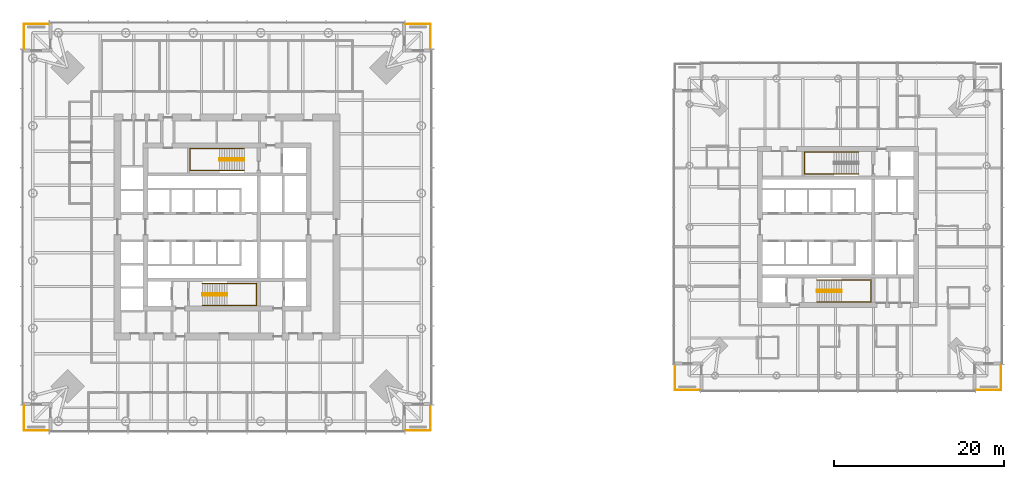
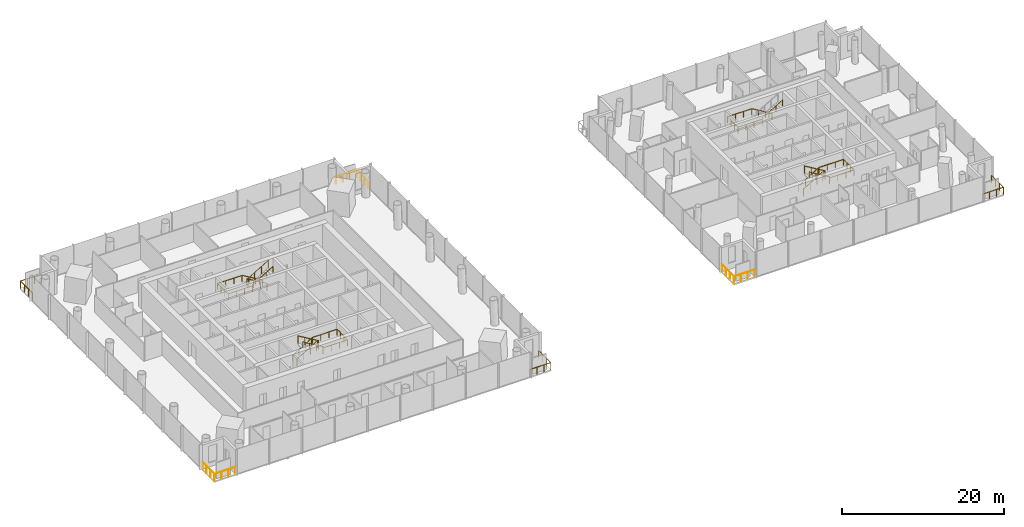
# One storey, part 17 of 18: 13 railings.
"""IFC4 building model written with IfcOpenShell, lengths in metres."""

from ifc_helpers import new_model, si_unit, direction, frame, origin, origin_2d, place, context, subcontext, project, spatial, circle, extrude, material, type_object, element, save


model = new_model("IFC4")

# Units and contexts
model_context = context("Model", 3, precision=1e-05, world=origin(), true_north=direction((0.0, 1.0)))
body_context = subcontext(model_context, "Body", "Model", "MODEL_VIEW")
ifc_project = project(units=[si_unit("LENGTHUNIT", "METRE"), si_unit("AREAUNIT", "SQUARE_METRE"), si_unit("VOLUMEUNIT", "CUBIC_METRE"), si_unit("PLANEANGLEUNIT", "RADIAN"), si_unit("MASSUNIT", "GRAM", prefix="KILO")], contexts=[model_context])

# Site, building, storey
site_placement = place(None, origin())
site = spatial("IfcSite", under=ifc_project, at=site_placement, CompositionType="ELEMENT")
building_placement = place(site_placement, origin())
building = spatial("IfcBuilding", under=site, at=building_placement, Name="Ostroluk Exchange", CompositionType="ELEMENT")
storey_placement = place(building_placement, frame((0.0, 0.0, 55.199951171875)))
storey = spatial("IfcBuildingStorey", under=building, at=storey_placement, Name="L13", CompositionType="ELEMENT", Elevation=55.199951171875)

# Railings
ifc_material_1 = material(Name="Stainless steel", Category="steel")
railing_type_1 = type_object("IfcRailingType", Name="Guard 1100 stainless steel", PredefinedType="GUARDRAIL", material=ifc_material_1)
railing_1_placement = place(storey_placement, frame((66.0, 22.050048828125, 0.0)))
element("IfcRailing", 1, at=railing_1_placement, inside=storey, type_object=railing_type_1, Name="Office tower SE balcony guard L13", PredefinedType="GUARDRAIL", context=body_context, shape_type="SweptSolid", body=[
    extrude(circle(Radius=0.02392578125, at=origin_2d()), frame((0.0, 0.0, 1.076171875), z_axis=(1.0, 0.0, 0.0), x_axis=(0.0, 1.0, 0.0)), (0.0, 0.0, 1.0), 2.949951171875),
    extrude(circle(Radius=0.02392578125, at=origin_2d()), frame((2.949951171875, 0.0, 1.076171875), z_axis=(0.0, 1.0, 0.0), x_axis=(-1.0, 0.0, 0.0)), (0.0, 0.0, 1.0), 2.949951171875),
    extrude(circle(Radius=0.02099609375, at=origin_2d()), origin(), (0.0, 0.0, 1.0), 1.052001953125),
    extrude(circle(Radius=0.02099609375, at=origin_2d()), frame((0.9833984375, 0.0, 0.0)), (0.0, 0.0, 1.0), 1.052001953125),
    extrude(circle(Radius=0.02099609375, at=origin_2d()), frame((1.966552734375, 0.0, 0.0)), (0.0, 0.0, 1.0), 1.052001953125),
    extrude(circle(Radius=0.02099609375, at=origin_2d()), frame((2.949951171875, 0.0, 0.0)), (0.0, 0.0, 1.0), 1.052001953125),
    extrude(circle(Radius=0.02099609375, at=origin_2d()), frame((2.949951171875, 0.9833984375, 0.0)), (0.0, 0.0, 1.0), 1.052001953125),
    extrude(circle(Radius=0.02099609375, at=origin_2d()), frame((2.949951171875, 1.966552734375, 0.0)), (0.0, 0.0, 1.0), 1.052001953125),
    extrude(circle(Radius=0.02099609375, at=origin_2d()), frame((2.949951171875, 2.949951171875, 0.0)), (0.0, 0.0, 1.0), 1.052001953125),
])
railing_2_placement = place(storey_placement, frame((66.0, 69.949951171875, 0.0)))
element("IfcRailing", 2, at=railing_2_placement, inside=storey, type_object=railing_type_1, Name="Office tower NE balcony guard L13", PredefinedType="GUARDRAIL", context=body_context, shape_type="SweptSolid", body=[
    extrude(circle(Radius=0.02392578125, at=origin_2d()), frame((0.0, 0.0, 1.076171875), z_axis=(1.0, 0.0, 0.0), x_axis=(0.0, 1.0, 0.0)), (0.0, 0.0, 1.0), 2.949951171875),
    extrude(circle(Radius=0.02392578125, at=origin_2d()), frame((2.949951171875, 0.0, 1.076171875), z_axis=(0.0, -1.0, 0.0), x_axis=(1.0, 0.0, 0.0)), (0.0, 0.0, 1.0), 2.949951171875),
    extrude(circle(Radius=0.02099609375, at=origin_2d()), origin(), (0.0, 0.0, 1.0), 1.052001953125),
    extrude(circle(Radius=0.02099609375, at=origin_2d()), frame((0.9833984375, 0.0, 0.0)), (0.0, 0.0, 1.0), 1.052001953125),
    extrude(circle(Radius=0.02099609375, at=origin_2d()), frame((1.966552734375, 0.0, 0.0)), (0.0, 0.0, 1.0), 1.052001953125),
    extrude(circle(Radius=0.02099609375, at=origin_2d()), frame((2.949951171875, 0.0, 0.0)), (0.0, 0.0, 1.0), 1.052001953125),
    extrude(circle(Radius=0.02099609375, at=origin_2d()), frame((2.949951171875, -0.9833984375, 0.0)), (0.0, 0.0, 1.0), 1.052001953125),
    extrude(circle(Radius=0.02099609375, at=origin_2d()), frame((2.949951171875, -1.966552734375, 0.0)), (0.0, 0.0, 1.0), 1.052001953125),
    extrude(circle(Radius=0.02099609375, at=origin_2d()), frame((2.949951171875, -2.949951171875, 0.0)), (0.0, 0.0, 1.0), 1.052001953125),
])
railing_3_placement = place(storey_placement, frame((24.0, 69.949951171875, 0.0)))
element("IfcRailing", 3, at=railing_3_placement, inside=storey, type_object=railing_type_1, Name="Office tower NW balcony guard L13", PredefinedType="GUARDRAIL", context=body_context, shape_type="SweptSolid", body=[
    extrude(circle(Radius=0.02392578125, at=origin_2d()), frame((0.0, 0.0, 1.076171875), z_axis=(-1.0, 0.0, 0.0), x_axis=(0.0, -1.0, 0.0)), (0.0, 0.0, 1.0), 2.949951171875),
    extrude(circle(Radius=0.02392578125, at=origin_2d()), frame((-2.949951171875, 0.0, 1.076171875), z_axis=(0.0, -1.0, 0.0), x_axis=(1.0, 0.0, 0.0)), (0.0, 0.0, 1.0), 2.949951171875),
    extrude(circle(Radius=0.02099609375, at=origin_2d()), origin(), (0.0, 0.0, 1.0), 1.052001953125),
    extrude(circle(Radius=0.02099609375, at=origin_2d()), frame((-0.9833984375, 0.0, 0.0)), (0.0, 0.0, 1.0), 1.052001953125),
    extrude(circle(Radius=0.02099609375, at=origin_2d()), frame((-1.966552734375, 0.0, 0.0)), (0.0, 0.0, 1.0), 1.052001953125),
    extrude(circle(Radius=0.02099609375, at=origin_2d()), frame((-2.949951171875, 0.0, 0.0)), (0.0, 0.0, 1.0), 1.052001953125),
    extrude(circle(Radius=0.02099609375, at=origin_2d()), frame((-2.949951171875, -0.9833984375, 0.0)), (0.0, 0.0, 1.0), 1.052001953125),
    extrude(circle(Radius=0.02099609375, at=origin_2d()), frame((-2.949951171875, -1.966552734375, 0.0)), (0.0, 0.0, 1.0), 1.052001953125),
    extrude(circle(Radius=0.02099609375, at=origin_2d()), frame((-2.949951171875, -2.949951171875, 0.0)), (0.0, 0.0, 1.0), 1.052001953125),
])
railing_4_placement = place(storey_placement, frame((24.0, 22.050048828125, 0.0)))
element("IfcRailing", 4, at=railing_4_placement, inside=storey, type_object=railing_type_1, Name="Office tower SW balcony guard L13", PredefinedType="GUARDRAIL", context=body_context, shape_type="SweptSolid", body=[
    extrude(circle(Radius=0.02392578125, at=origin_2d()), frame((0.0, 0.0, 1.076171875), z_axis=(-1.0, 0.0, 0.0), x_axis=(0.0, -1.0, 0.0)), (0.0, 0.0, 1.0), 2.949951171875),
    extrude(circle(Radius=0.02392578125, at=origin_2d()), frame((-2.949951171875, 0.0, 1.076171875), z_axis=(0.0, 1.0, 0.0), x_axis=(-1.0, 0.0, 0.0)), (0.0, 0.0, 1.0), 2.949951171875),
    extrude(circle(Radius=0.02099609375, at=origin_2d()), origin(), (0.0, 0.0, 1.0), 1.052001953125),
    extrude(circle(Radius=0.02099609375, at=origin_2d()), frame((-0.9833984375, 0.0, 0.0)), (0.0, 0.0, 1.0), 1.052001953125),
    extrude(circle(Radius=0.02099609375, at=origin_2d()), frame((-1.966552734375, 0.0, 0.0)), (0.0, 0.0, 1.0), 1.052001953125),
    extrude(circle(Radius=0.02099609375, at=origin_2d()), frame((-2.949951171875, 0.0, 0.0)), (0.0, 0.0, 1.0), 1.052001953125),
    extrude(circle(Radius=0.02099609375, at=origin_2d()), frame((-2.949951171875, 0.9833984375, 0.0)), (0.0, 0.0, 1.0), 1.052001953125),
    extrude(circle(Radius=0.02099609375, at=origin_2d()), frame((-2.949951171875, 1.966552734375, 0.0)), (0.0, 0.0, 1.0), 1.052001953125),
    extrude(circle(Radius=0.02099609375, at=origin_2d()), frame((-2.949951171875, 2.949951171875, 0.0)), (0.0, 0.0, 1.0), 1.052001953125),
])
railing_5_placement = place(storey_placement, frame((133.25, 26.800048828125, 0.0)))
element("IfcRailing", 5, at=railing_5_placement, inside=storey, type_object=railing_type_1, Name="Hotel tower SE balcony guard L13", PredefinedType="GUARDRAIL", context=body_context, shape_type="SweptSolid", body=[
    extrude(circle(Radius=0.02392578125, at=origin_2d()), frame((0.0, 0.0, 1.076171875), z_axis=(1.0, 0.0, 0.0), x_axis=(0.0, 1.0, 0.0)), (0.0, 0.0, 1.0), 2.949951171875),
    extrude(circle(Radius=0.02392578125, at=origin_2d()), frame((2.949951171875, 0.0, 1.076171875), z_axis=(0.0, 1.0, 0.0), x_axis=(-1.0, 0.0, 0.0)), (0.0, 0.0, 1.0), 2.949951171875),
    extrude(circle(Radius=0.02099609375, at=origin_2d()), origin(), (0.0, 0.0, 1.0), 1.052001953125),
    extrude(circle(Radius=0.02099609375, at=origin_2d()), frame((0.9833984375, 0.0, 0.0)), (0.0, 0.0, 1.0), 1.052001953125),
    extrude(circle(Radius=0.02099609375, at=origin_2d()), frame((1.966552734375, 0.0, 0.0)), (0.0, 0.0, 1.0), 1.052001953125),
    extrude(circle(Radius=0.02099609375, at=origin_2d()), frame((2.949951171875, 0.0, 0.0)), (0.0, 0.0, 1.0), 1.052001953125),
    extrude(circle(Radius=0.02099609375, at=origin_2d()), frame((2.949951171875, 0.9833984375, 0.0)), (0.0, 0.0, 1.0), 1.052001953125),
    extrude(circle(Radius=0.02099609375, at=origin_2d()), frame((2.949951171875, 1.966552734375, 0.0)), (0.0, 0.0, 1.0), 1.052001953125),
    extrude(circle(Radius=0.02099609375, at=origin_2d()), frame((2.949951171875, 2.949951171875, 0.0)), (0.0, 0.0, 1.0), 1.052001953125),
])
railing_6_placement = place(storey_placement, frame((100.75, 26.800048828125, 0.0)))
element("IfcRailing", 6, at=railing_6_placement, inside=storey, type_object=railing_type_1, Name="Hotel tower SW balcony guard L13", PredefinedType="GUARDRAIL", context=body_context, shape_type="SweptSolid", body=[
    extrude(circle(Radius=0.02392578125, at=origin_2d()), frame((0.0, 0.0, 1.076171875), z_axis=(-1.0, 0.0, 0.0), x_axis=(0.0, -1.0, 0.0)), (0.0, 0.0, 1.0), 2.949951171875),
    extrude(circle(Radius=0.02392578125, at=origin_2d()), frame((-2.949951171875, 0.0, 1.076171875), z_axis=(0.0, 1.0, 0.0), x_axis=(-1.0, 0.0, 0.0)), (0.0, 0.0, 1.0), 2.949951171875),
    extrude(circle(Radius=0.02099609375, at=origin_2d()), origin(), (0.0, 0.0, 1.0), 1.052001953125),
    extrude(circle(Radius=0.02099609375, at=origin_2d()), frame((-0.9833984375, 0.0, 0.0)), (0.0, 0.0, 1.0), 1.052001953125),
    extrude(circle(Radius=0.02099609375, at=origin_2d()), frame((-1.966552734375, 0.0, 0.0)), (0.0, 0.0, 1.0), 1.052001953125),
    extrude(circle(Radius=0.02099609375, at=origin_2d()), frame((-2.949951171875, 0.0, 0.0)), (0.0, 0.0, 1.0), 1.052001953125),
    extrude(circle(Radius=0.02099609375, at=origin_2d()), frame((-2.949951171875, 0.9833984375, 0.0)), (0.0, 0.0, 1.0), 1.052001953125),
    extrude(circle(Radius=0.02099609375, at=origin_2d()), frame((-2.949951171875, 1.966552734375, 0.0)), (0.0, 0.0, 1.0), 1.052001953125),
    extrude(circle(Radius=0.02099609375, at=origin_2d()), frame((-2.949951171875, 2.949951171875, 0.0)), (0.0, 0.0, 1.0), 1.052001953125),
])
ifc_material_2 = material(Name="Steel S355", Category="steel")
railing_type_2 = type_object("IfcRailingType", Name="Stair guard 1100", PredefinedType="GUARDRAIL", material=ifc_material_2)
railing_7_placement = place(storey_placement, frame((42.10009765625, 38.179931640625, 0.1728515625)))
element("IfcRailing", 7, at=railing_7_placement, inside=storey, type_object=railing_type_2, Name="Stair T1-S1 guard L13", PredefinedType="GUARDRAIL", context=body_context, shape_type="SweptSolid", body=[
    extrude(circle(Radius=0.02392578125, at=origin_2d()), frame((0.0, 0.0, 1.076171875), z_axis=(0.859141464434, 0.0, 0.511738159696), x_axis=(0.0, 1.0, 0.0)), (0.0, 0.0, 1.0), 3.375244140625),
    extrude(circle(Radius=0.02392578125, at=origin_2d()), frame((2.89990234375, 0.0, 2.80322265625), z_axis=(0.0, -1.0, 0.0), x_axis=(1.0, 0.0, 0.0)), (0.0, 0.0, 1.0), 0.260009765625),
    extrude(circle(Radius=0.02392578125, at=origin_2d()), frame((2.89990234375, -0.260009765625, 2.80322265625), z_axis=(0.0, 0.0, 1.0), x_axis=(1.0, 0.0, 0.0)), (0.0, 0.0, 1.0), 0.172607421875),
    extrude(circle(Radius=0.02392578125, at=origin_2d()), frame((2.89990234375, -0.260009765625, 2.97607421875), z_axis=(-0.859141464434, 0.0, 0.511738159696), x_axis=(0.0, -1.0, 0.0)), (0.0, 0.0, 1.0), 3.375244140625),
    extrude(circle(Radius=0.02099609375, at=origin_2d()), origin(), (0.0, 0.0, 1.0), 1.052001953125),
    extrude(circle(Radius=0.02099609375, at=origin_2d()), frame((0.966552734375, 0.0, 0.57568359375)), (0.0, 0.0, 1.0), 1.052001953125),
    extrude(circle(Radius=0.02099609375, at=origin_2d()), frame((1.933349609375, 0.0, 1.151611328125)), (0.0, 0.0, 1.0), 1.052001953125),
    extrude(circle(Radius=0.02099609375, at=origin_2d()), frame((2.89990234375, 0.0, 1.727294921875)), (0.0, 0.0, 1.0), 1.052001953125),
    extrude(circle(Radius=0.02099609375, at=origin_2d()), frame((2.89990234375, -0.260009765625, 1.727294921875)), (0.0, 0.0, 1.0), 1.052001953125),
    extrude(circle(Radius=0.02099609375, at=origin_2d()), frame((2.89990234375, -0.260009765625, 1.89990234375)), (0.0, 0.0, 1.0), 1.052001953125),
    extrude(circle(Radius=0.02099609375, at=origin_2d()), frame((1.933349609375, -0.260009765625, 2.4755859375)), (0.0, 0.0, 1.0), 1.052001953125),
    extrude(circle(Radius=0.02099609375, at=origin_2d()), frame((0.966552734375, -0.260009765625, 3.051513671875)), (0.0, 0.0, 1.0), 1.052001953125),
    extrude(circle(Radius=0.02099609375, at=origin_2d()), frame((0.0, -0.260009765625, 3.627197265625)), (0.0, 0.0, 1.0), 1.052001953125),
])
railing_8_placement = place(storey_placement, frame((47.030029296875, 54.080078125, 0.1728515625)))
element("IfcRailing", 8, at=railing_8_placement, inside=storey, type_object=railing_type_2, Name="Stair T1-S2 guard L13", PredefinedType="GUARDRAIL", context=body_context, shape_type="SweptSolid", body=[
    extrude(circle(Radius=0.02392578125, at=origin_2d()), frame((0.0, 0.0, 1.076171875), z_axis=(-0.859160404282, 0.0, 0.51170636083), x_axis=(0.0, -1.0, 0.0)), (0.0, 0.0, 1.0), 3.37548828125),
    extrude(circle(Radius=0.02392578125, at=origin_2d()), frame((-2.900146484375, 0.0, 2.80322265625), z_axis=(0.0, -1.0, 0.0), x_axis=(1.0, 0.0, 0.0)), (0.0, 0.0, 1.0), 0.260009765625),
    extrude(circle(Radius=0.02392578125, at=origin_2d()), frame((-2.900146484375, -0.260009765625, 2.80322265625), z_axis=(0.0, 0.0, 1.0), x_axis=(1.0, 0.0, 0.0)), (0.0, 0.0, 1.0), 0.172607421875),
    extrude(circle(Radius=0.02392578125, at=origin_2d()), frame((-2.900146484375, -0.260009765625, 2.97607421875), z_axis=(0.859160404282, 0.0, 0.51170636083), x_axis=(0.0, 1.0, 0.0)), (0.0, 0.0, 1.0), 3.37548828125),
    extrude(circle(Radius=0.02099609375, at=origin_2d()), origin(), (0.0, 0.0, 1.0), 1.052001953125),
    extrude(circle(Radius=0.02099609375, at=origin_2d()), frame((-0.966796875, 0.0, 0.57568359375)), (0.0, 0.0, 1.0), 1.052001953125),
    extrude(circle(Radius=0.02099609375, at=origin_2d()), frame((-1.933349609375, 0.0, 1.151611328125)), (0.0, 0.0, 1.0), 1.052001953125),
    extrude(circle(Radius=0.02099609375, at=origin_2d()), frame((-2.900146484375, 0.0, 1.727294921875)), (0.0, 0.0, 1.0), 1.052001953125),
    extrude(circle(Radius=0.02099609375, at=origin_2d()), frame((-2.900146484375, -0.260009765625, 1.727294921875)), (0.0, 0.0, 1.0), 1.052001953125),
    extrude(circle(Radius=0.02099609375, at=origin_2d()), frame((-2.900146484375, -0.260009765625, 1.89990234375)), (0.0, 0.0, 1.0), 1.052001953125),
    extrude(circle(Radius=0.02099609375, at=origin_2d()), frame((-1.933349609375, -0.260009765625, 2.4755859375)), (0.0, 0.0, 1.0), 1.052001953125),
    extrude(circle(Radius=0.02099609375, at=origin_2d()), frame((-0.966796875, -0.260009765625, 3.051513671875)), (0.0, 0.0, 1.0), 1.052001953125),
    extrude(circle(Radius=0.02099609375, at=origin_2d()), frame((0.0, -0.260009765625, 3.627197265625)), (0.0, 0.0, 1.0), 1.052001953125),
])
railing_9_placement = place(storey_placement, frame((114.5, 38.580078125, 0.1728515625)))
element("IfcRailing", 9, at=railing_9_placement, inside=storey, type_object=railing_type_2, Name="Stair T2-S1 guard L13", PredefinedType="GUARDRAIL", context=body_context, shape_type="SweptSolid", body=[
    extrude(circle(Radius=0.02392578125, at=origin_2d()), frame((0.0, 0.0, 1.076171875), z_axis=(0.859141464434, 0.0, 0.511738159696), x_axis=(0.0, 1.0, 0.0)), (0.0, 0.0, 1.0), 3.375244140625),
    extrude(circle(Radius=0.02392578125, at=origin_2d()), frame((2.89990234375, 0.0, 2.80322265625), z_axis=(0.0, -1.0, 0.0), x_axis=(1.0, 0.0, 0.0)), (0.0, 0.0, 1.0), 0.260009765625),
    extrude(circle(Radius=0.02392578125, at=origin_2d()), frame((2.89990234375, -0.260009765625, 2.80322265625), z_axis=(0.0, 0.0, 1.0), x_axis=(1.0, 0.0, 0.0)), (0.0, 0.0, 1.0), 0.172607421875),
    extrude(circle(Radius=0.02392578125, at=origin_2d()), frame((2.89990234375, -0.260009765625, 2.97607421875), z_axis=(-0.859141464434, 0.0, 0.511738159696), x_axis=(0.0, -1.0, 0.0)), (0.0, 0.0, 1.0), 3.375244140625),
    extrude(circle(Radius=0.02099609375, at=origin_2d()), origin(), (0.0, 0.0, 1.0), 1.052001953125),
    extrude(circle(Radius=0.02099609375, at=origin_2d()), frame((0.966552734375, 0.0, 0.57568359375)), (0.0, 0.0, 1.0), 1.052001953125),
    extrude(circle(Radius=0.02099609375, at=origin_2d()), frame((1.933349609375, 0.0, 1.151611328125)), (0.0, 0.0, 1.0), 1.052001953125),
    extrude(circle(Radius=0.02099609375, at=origin_2d()), frame((2.89990234375, 0.0, 1.727294921875)), (0.0, 0.0, 1.0), 1.052001953125),
    extrude(circle(Radius=0.02099609375, at=origin_2d()), frame((2.89990234375, -0.260009765625, 1.727294921875)), (0.0, 0.0, 1.0), 1.052001953125),
    extrude(circle(Radius=0.02099609375, at=origin_2d()), frame((2.89990234375, -0.260009765625, 1.89990234375)), (0.0, 0.0, 1.0), 1.052001953125),
    extrude(circle(Radius=0.02099609375, at=origin_2d()), frame((1.933349609375, -0.260009765625, 2.4755859375)), (0.0, 0.0, 1.0), 1.052001953125),
    extrude(circle(Radius=0.02099609375, at=origin_2d()), frame((0.966552734375, -0.260009765625, 3.051513671875)), (0.0, 0.0, 1.0), 1.052001953125),
    extrude(circle(Radius=0.02099609375, at=origin_2d()), frame((0.0, -0.260009765625, 3.627197265625)), (0.0, 0.0, 1.0), 1.052001953125),
])
ifc_material_3 = material(Name="Stainless steel", Category="steel")
railing_type_3 = type_object("IfcRailingType", Name="Stair handrail 900", PredefinedType="HANDRAIL", material=ifc_material_3)
railing_10_placement = place(storey_placement, frame((42.10009765625, 39.35009765625, 0.1728515625)))
element("IfcRailing", 10, at=railing_10_placement, inside=storey, type_object=railing_type_3, Name="Stair T1-S1 handrail L13", PredefinedType="HANDRAIL", context=body_context, shape_type="SweptSolid", body=[
    extrude(circle(Radius=0.02392578125, at=origin_2d()), frame((0.0, 0.0, 0.8759765625), z_axis=(0.859141464434, 0.0, 0.511738159696), x_axis=(0.0, 1.0, 0.0)), (0.0, 0.0, 1.0), 3.375244140625),
    extrude(circle(Radius=0.02392578125, at=origin_2d()), frame((2.89990234375, 0.0, 2.60302734375), z_axis=(1.0, 0.0, 0.0), x_axis=(0.0, 1.0, 0.0)), (0.0, 0.0, 1.0), 3.47998046875),
    extrude(circle(Radius=0.02392578125, at=origin_2d()), frame((6.3798828125, 0.0, 2.60302734375), z_axis=(0.0, -1.0, 0.0), x_axis=(1.0, 0.0, 0.0)), (0.0, 0.0, 1.0), 2.60009765625),
    extrude(circle(Radius=0.02392578125, at=origin_2d()), frame((6.3798828125, -2.60009765625, 2.60302734375), z_axis=(-1.0, 0.0, 0.0), x_axis=(0.0, -1.0, 0.0)), (0.0, 0.0, 1.0), 3.47998046875),
    extrude(circle(Radius=0.02392578125, at=origin_2d()), frame((2.89990234375, -2.60009765625, 2.60302734375), z_axis=(0.0, 0.0, 1.0), x_axis=(1.0, 0.0, 0.0)), (0.0, 0.0, 1.0), 0.172607421875),
    extrude(circle(Radius=0.02392578125, at=origin_2d()), frame((2.89990234375, -2.60009765625, 2.77587890625), z_axis=(-0.859141464434, 0.0, 0.511738159696), x_axis=(0.0, -1.0, 0.0)), (0.0, 0.0, 1.0), 3.375244140625),
    extrude(circle(Radius=0.02099609375, at=origin_2d()), origin(), (0.0, 0.0, 1.0), 0.851806640625),
    extrude(circle(Radius=0.02099609375, at=origin_2d()), frame((0.966552734375, 0.0, 0.57568359375)), (0.0, 0.0, 1.0), 0.851806640625),
    extrude(circle(Radius=0.02099609375, at=origin_2d()), frame((1.933349609375, 0.0, 1.151611328125)), (0.0, 0.0, 1.0), 0.851806640625),
    extrude(circle(Radius=0.02099609375, at=origin_2d()), frame((2.89990234375, 0.0, 1.727294921875)), (0.0, 0.0, 1.0), 0.851806640625),
    extrude(circle(Radius=0.02099609375, at=origin_2d()), frame((4.059814453125, 0.0, 1.727294921875)), (0.0, 0.0, 1.0), 0.851806640625),
    extrude(circle(Radius=0.02099609375, at=origin_2d()), frame((5.219970703125, 0.0, 1.727294921875)), (0.0, 0.0, 1.0), 0.851806640625),
    extrude(circle(Radius=0.02099609375, at=origin_2d()), frame((6.3798828125, 0.0, 1.727294921875)), (0.0, 0.0, 1.0), 0.851806640625),
    extrude(circle(Radius=0.02099609375, at=origin_2d()), frame((6.3798828125, -0.86669921875, 1.727294921875)), (0.0, 0.0, 1.0), 0.851806640625),
    extrude(circle(Radius=0.02099609375, at=origin_2d()), frame((6.3798828125, -1.7333984375, 1.727294921875)), (0.0, 0.0, 1.0), 0.851806640625),
    extrude(circle(Radius=0.02099609375, at=origin_2d()), frame((6.3798828125, -2.60009765625, 1.727294921875)), (0.0, 0.0, 1.0), 0.851806640625),
    extrude(circle(Radius=0.02099609375, at=origin_2d()), frame((5.219970703125, -2.60009765625, 1.727294921875)), (0.0, 0.0, 1.0), 0.851806640625),
    extrude(circle(Radius=0.02099609375, at=origin_2d()), frame((4.059814453125, -2.60009765625, 1.727294921875)), (0.0, 0.0, 1.0), 0.851806640625),
    extrude(circle(Radius=0.02099609375, at=origin_2d()), frame((2.89990234375, -2.60009765625, 1.727294921875)), (0.0, 0.0, 1.0), 0.851806640625),
    extrude(circle(Radius=0.02099609375, at=origin_2d()), frame((2.89990234375, -2.60009765625, 1.89990234375)), (0.0, 0.0, 1.0), 0.851806640625),
    extrude(circle(Radius=0.02099609375, at=origin_2d()), frame((1.933349609375, -2.60009765625, 2.4755859375)), (0.0, 0.0, 1.0), 0.851806640625),
    extrude(circle(Radius=0.02099609375, at=origin_2d()), frame((0.966552734375, -2.60009765625, 3.051513671875)), (0.0, 0.0, 1.0), 0.851806640625),
    extrude(circle(Radius=0.02099609375, at=origin_2d()), frame((0.0, -2.60009765625, 3.627197265625)), (0.0, 0.0, 1.0), 0.851806640625),
])
railing_11_placement = place(storey_placement, frame((47.030029296875, 55.25, 0.1728515625)))
element("IfcRailing", 11, at=railing_11_placement, inside=storey, type_object=railing_type_3, Name="Stair T1-S2 handrail L13", PredefinedType="HANDRAIL", context=body_context, shape_type="SweptSolid", body=[
    extrude(circle(Radius=0.02392578125, at=origin_2d()), frame((0.0, 0.0, 0.8759765625), z_axis=(-0.859160404282, 0.0, 0.51170636083), x_axis=(0.0, -1.0, 0.0)), (0.0, 0.0, 1.0), 3.37548828125),
    extrude(circle(Radius=0.02392578125, at=origin_2d()), frame((-2.900146484375, 0.0, 2.60302734375), z_axis=(-1.0, 0.0, 0.0), x_axis=(0.0, -1.0, 0.0)), (0.0, 0.0, 1.0), 3.47998046875),
    extrude(circle(Radius=0.02392578125, at=origin_2d()), frame((-6.380126953125, 0.0, 2.60302734375), z_axis=(0.0, -1.0, 0.0), x_axis=(1.0, 0.0, 0.0)), (0.0, 0.0, 1.0), 2.60009765625),
    extrude(circle(Radius=0.02392578125, at=origin_2d()), frame((-6.380126953125, -2.60009765625, 2.60302734375), z_axis=(1.0, 0.0, 0.0), x_axis=(0.0, 1.0, 0.0)), (0.0, 0.0, 1.0), 3.47998046875),
    extrude(circle(Radius=0.02392578125, at=origin_2d()), frame((-2.900146484375, -2.60009765625, 2.60302734375), z_axis=(0.0, 0.0, 1.0), x_axis=(1.0, 0.0, 0.0)), (0.0, 0.0, 1.0), 0.172607421875),
    extrude(circle(Radius=0.02392578125, at=origin_2d()), frame((-2.900146484375, -2.60009765625, 2.77587890625), z_axis=(0.859160404282, 0.0, 0.51170636083), x_axis=(0.0, 1.0, 0.0)), (0.0, 0.0, 1.0), 3.37548828125),
    extrude(circle(Radius=0.02099609375, at=origin_2d()), origin(), (0.0, 0.0, 1.0), 0.851806640625),
    extrude(circle(Radius=0.02099609375, at=origin_2d()), frame((-0.966796875, 0.0, 0.57568359375)), (0.0, 0.0, 1.0), 0.851806640625),
    extrude(circle(Radius=0.02099609375, at=origin_2d()), frame((-1.933349609375, 0.0, 1.151611328125)), (0.0, 0.0, 1.0), 0.851806640625),
    extrude(circle(Radius=0.02099609375, at=origin_2d()), frame((-2.900146484375, 0.0, 1.727294921875)), (0.0, 0.0, 1.0), 0.851806640625),
    extrude(circle(Radius=0.02099609375, at=origin_2d()), frame((-4.06005859375, 0.0, 1.727294921875)), (0.0, 0.0, 1.0), 0.851806640625),
    extrude(circle(Radius=0.02099609375, at=origin_2d()), frame((-5.22021484375, 0.0, 1.727294921875)), (0.0, 0.0, 1.0), 0.851806640625),
    extrude(circle(Radius=0.02099609375, at=origin_2d()), frame((-6.380126953125, 0.0, 1.727294921875)), (0.0, 0.0, 1.0), 0.851806640625),
    extrude(circle(Radius=0.02099609375, at=origin_2d()), frame((-6.380126953125, -0.86669921875, 1.727294921875)), (0.0, 0.0, 1.0), 0.851806640625),
    extrude(circle(Radius=0.02099609375, at=origin_2d()), frame((-6.380126953125, -1.7333984375, 1.727294921875)), (0.0, 0.0, 1.0), 0.851806640625),
    extrude(circle(Radius=0.02099609375, at=origin_2d()), frame((-6.380126953125, -2.60009765625, 1.727294921875)), (0.0, 0.0, 1.0), 0.851806640625),
    extrude(circle(Radius=0.02099609375, at=origin_2d()), frame((-5.22021484375, -2.60009765625, 1.727294921875)), (0.0, 0.0, 1.0), 0.851806640625),
    extrude(circle(Radius=0.02099609375, at=origin_2d()), frame((-4.06005859375, -2.60009765625, 1.727294921875)), (0.0, 0.0, 1.0), 0.851806640625),
    extrude(circle(Radius=0.02099609375, at=origin_2d()), frame((-2.900146484375, -2.60009765625, 1.727294921875)), (0.0, 0.0, 1.0), 0.851806640625),
    extrude(circle(Radius=0.02099609375, at=origin_2d()), frame((-2.900146484375, -2.60009765625, 1.89990234375)), (0.0, 0.0, 1.0), 0.851806640625),
    extrude(circle(Radius=0.02099609375, at=origin_2d()), frame((-1.933349609375, -2.60009765625, 2.4755859375)), (0.0, 0.0, 1.0), 0.851806640625),
    extrude(circle(Radius=0.02099609375, at=origin_2d()), frame((-0.966796875, -2.60009765625, 3.051513671875)), (0.0, 0.0, 1.0), 0.851806640625),
    extrude(circle(Radius=0.02099609375, at=origin_2d()), frame((0.0, -2.60009765625, 3.627197265625)), (0.0, 0.0, 1.0), 0.851806640625),
])
railing_12_placement = place(storey_placement, frame((114.5, 39.75, 0.1728515625)))
element("IfcRailing", 12, at=railing_12_placement, inside=storey, type_object=railing_type_3, Name="Stair T2-S1 handrail L13", PredefinedType="HANDRAIL", context=body_context, shape_type="SweptSolid", body=[
    extrude(circle(Radius=0.02392578125, at=origin_2d()), frame((0.0, 0.0, 0.8759765625), z_axis=(0.859141464434, 0.0, 0.511738159696), x_axis=(0.0, 1.0, 0.0)), (0.0, 0.0, 1.0), 3.375244140625),
    extrude(circle(Radius=0.02392578125, at=origin_2d()), frame((2.89990234375, 0.0, 2.60302734375), z_axis=(1.0, 0.0, 0.0), x_axis=(0.0, 1.0, 0.0)), (0.0, 0.0, 1.0), 3.47998046875),
    extrude(circle(Radius=0.02392578125, at=origin_2d()), frame((6.3798828125, 0.0, 2.60302734375), z_axis=(0.0, -1.0, 0.0), x_axis=(1.0, 0.0, 0.0)), (0.0, 0.0, 1.0), 2.60009765625),
    extrude(circle(Radius=0.02392578125, at=origin_2d()), frame((6.3798828125, -2.60009765625, 2.60302734375), z_axis=(-1.0, 0.0, 0.0), x_axis=(0.0, -1.0, 0.0)), (0.0, 0.0, 1.0), 3.47998046875),
    extrude(circle(Radius=0.02392578125, at=origin_2d()), frame((2.89990234375, -2.60009765625, 2.60302734375), z_axis=(0.0, 0.0, 1.0), x_axis=(1.0, 0.0, 0.0)), (0.0, 0.0, 1.0), 0.172607421875),
    extrude(circle(Radius=0.02392578125, at=origin_2d()), frame((2.89990234375, -2.60009765625, 2.77587890625), z_axis=(-0.859141464434, 0.0, 0.511738159696), x_axis=(0.0, -1.0, 0.0)), (0.0, 0.0, 1.0), 3.375244140625),
    extrude(circle(Radius=0.02099609375, at=origin_2d()), origin(), (0.0, 0.0, 1.0), 0.851806640625),
    extrude(circle(Radius=0.02099609375, at=origin_2d()), frame((0.966552734375, 0.0, 0.57568359375)), (0.0, 0.0, 1.0), 0.851806640625),
    extrude(circle(Radius=0.02099609375, at=origin_2d()), frame((1.933349609375, 0.0, 1.151611328125)), (0.0, 0.0, 1.0), 0.851806640625),
    extrude(circle(Radius=0.02099609375, at=origin_2d()), frame((2.89990234375, 0.0, 1.727294921875)), (0.0, 0.0, 1.0), 0.851806640625),
    extrude(circle(Radius=0.02099609375, at=origin_2d()), frame((4.059814453125, 0.0, 1.727294921875)), (0.0, 0.0, 1.0), 0.851806640625),
    extrude(circle(Radius=0.02099609375, at=origin_2d()), frame((5.219970703125, 0.0, 1.727294921875)), (0.0, 0.0, 1.0), 0.851806640625),
    extrude(circle(Radius=0.02099609375, at=origin_2d()), frame((6.3798828125, 0.0, 1.727294921875)), (0.0, 0.0, 1.0), 0.851806640625),
    extrude(circle(Radius=0.02099609375, at=origin_2d()), frame((6.3798828125, -0.86669921875, 1.727294921875)), (0.0, 0.0, 1.0), 0.851806640625),
    extrude(circle(Radius=0.02099609375, at=origin_2d()), frame((6.3798828125, -1.7333984375, 1.727294921875)), (0.0, 0.0, 1.0), 0.851806640625),
    extrude(circle(Radius=0.02099609375, at=origin_2d()), frame((6.3798828125, -2.60009765625, 1.727294921875)), (0.0, 0.0, 1.0), 0.851806640625),
    extrude(circle(Radius=0.02099609375, at=origin_2d()), frame((5.219970703125, -2.60009765625, 1.727294921875)), (0.0, 0.0, 1.0), 0.851806640625),
    extrude(circle(Radius=0.02099609375, at=origin_2d()), frame((4.059814453125, -2.60009765625, 1.727294921875)), (0.0, 0.0, 1.0), 0.851806640625),
    extrude(circle(Radius=0.02099609375, at=origin_2d()), frame((2.89990234375, -2.60009765625, 1.727294921875)), (0.0, 0.0, 1.0), 0.851806640625),
    extrude(circle(Radius=0.02099609375, at=origin_2d()), frame((2.89990234375, -2.60009765625, 1.89990234375)), (0.0, 0.0, 1.0), 0.851806640625),
    extrude(circle(Radius=0.02099609375, at=origin_2d()), frame((1.933349609375, -2.60009765625, 2.4755859375)), (0.0, 0.0, 1.0), 0.851806640625),
    extrude(circle(Radius=0.02099609375, at=origin_2d()), frame((0.966552734375, -2.60009765625, 3.051513671875)), (0.0, 0.0, 1.0), 0.851806640625),
    extrude(circle(Radius=0.02099609375, at=origin_2d()), frame((0.0, -2.60009765625, 3.627197265625)), (0.0, 0.0, 1.0), 0.851806640625),
])
railing_13_placement = place(storey_placement, frame((119.429931640625, 54.85009765625, 0.1728515625)))
element("IfcRailing", 13, at=railing_13_placement, inside=storey, type_object=railing_type_3, Name="Stair T2-S2 handrail L13", PredefinedType="HANDRAIL", context=body_context, shape_type="SweptSolid", body=[
    extrude(circle(Radius=0.02392578125, at=origin_2d()), frame((0.0, 0.0, 0.8759765625), z_axis=(-0.859141464434, 0.0, 0.511738159696), x_axis=(0.0, -1.0, 0.0)), (0.0, 0.0, 1.0), 3.375244140625),
    extrude(circle(Radius=0.02392578125, at=origin_2d()), frame((-2.89990234375, 0.0, 2.60302734375), z_axis=(-1.0, 0.0, 0.0), x_axis=(0.0, -1.0, 0.0)), (0.0, 0.0, 1.0), 3.47998046875),
    extrude(circle(Radius=0.02392578125, at=origin_2d()), frame((-6.3798828125, 0.0, 2.60302734375), z_axis=(0.0, -1.0, 0.0), x_axis=(1.0, 0.0, 0.0)), (0.0, 0.0, 1.0), 2.60009765625),
    extrude(circle(Radius=0.02392578125, at=origin_2d()), frame((-6.3798828125, -2.60009765625, 2.60302734375), z_axis=(1.0, 0.0, 0.0), x_axis=(0.0, 1.0, 0.0)), (0.0, 0.0, 1.0), 3.47998046875),
    extrude(circle(Radius=0.02392578125, at=origin_2d()), frame((-2.89990234375, -2.60009765625, 2.60302734375), z_axis=(0.0, 0.0, 1.0), x_axis=(1.0, 0.0, 0.0)), (0.0, 0.0, 1.0), 0.172607421875),
    extrude(circle(Radius=0.02392578125, at=origin_2d()), frame((-2.89990234375, -2.60009765625, 2.77587890625), z_axis=(0.859141464434, 0.0, 0.511738159696), x_axis=(0.0, 1.0, 0.0)), (0.0, 0.0, 1.0), 3.375244140625),
    extrude(circle(Radius=0.02099609375, at=origin_2d()), origin(), (0.0, 0.0, 1.0), 0.851806640625),
    extrude(circle(Radius=0.02099609375, at=origin_2d()), frame((-0.966552734375, 0.0, 0.57568359375)), (0.0, 0.0, 1.0), 0.851806640625),
    extrude(circle(Radius=0.02099609375, at=origin_2d()), frame((-1.933349609375, 0.0, 1.151611328125)), (0.0, 0.0, 1.0), 0.851806640625),
    extrude(circle(Radius=0.02099609375, at=origin_2d()), frame((-2.89990234375, 0.0, 1.727294921875)), (0.0, 0.0, 1.0), 0.851806640625),
    extrude(circle(Radius=0.02099609375, at=origin_2d()), frame((-4.059814453125, 0.0, 1.727294921875)), (0.0, 0.0, 1.0), 0.851806640625),
    extrude(circle(Radius=0.02099609375, at=origin_2d()), frame((-5.219970703125, 0.0, 1.727294921875)), (0.0, 0.0, 1.0), 0.851806640625),
    extrude(circle(Radius=0.02099609375, at=origin_2d()), frame((-6.3798828125, 0.0, 1.727294921875)), (0.0, 0.0, 1.0), 0.851806640625),
    extrude(circle(Radius=0.02099609375, at=origin_2d()), frame((-6.3798828125, -0.86669921875, 1.727294921875)), (0.0, 0.0, 1.0), 0.851806640625),
    extrude(circle(Radius=0.02099609375, at=origin_2d()), frame((-6.3798828125, -1.7333984375, 1.727294921875)), (0.0, 0.0, 1.0), 0.851806640625),
    extrude(circle(Radius=0.02099609375, at=origin_2d()), frame((-6.3798828125, -2.60009765625, 1.727294921875)), (0.0, 0.0, 1.0), 0.851806640625),
    extrude(circle(Radius=0.02099609375, at=origin_2d()), frame((-5.219970703125, -2.60009765625, 1.727294921875)), (0.0, 0.0, 1.0), 0.851806640625),
    extrude(circle(Radius=0.02099609375, at=origin_2d()), frame((-4.059814453125, -2.60009765625, 1.727294921875)), (0.0, 0.0, 1.0), 0.851806640625),
    extrude(circle(Radius=0.02099609375, at=origin_2d()), frame((-2.89990234375, -2.60009765625, 1.727294921875)), (0.0, 0.0, 1.0), 0.851806640625),
    extrude(circle(Radius=0.02099609375, at=origin_2d()), frame((-2.89990234375, -2.60009765625, 1.89990234375)), (0.0, 0.0, 1.0), 0.851806640625),
    extrude(circle(Radius=0.02099609375, at=origin_2d()), frame((-1.933349609375, -2.60009765625, 2.4755859375)), (0.0, 0.0, 1.0), 0.851806640625),
    extrude(circle(Radius=0.02099609375, at=origin_2d()), frame((-0.966552734375, -2.60009765625, 3.051513671875)), (0.0, 0.0, 1.0), 0.851806640625),
    extrude(circle(Radius=0.02099609375, at=origin_2d()), frame((0.0, -2.60009765625, 3.627197265625)), (0.0, 0.0, 1.0), 0.851806640625),
])

save(model, "model.ifc")
